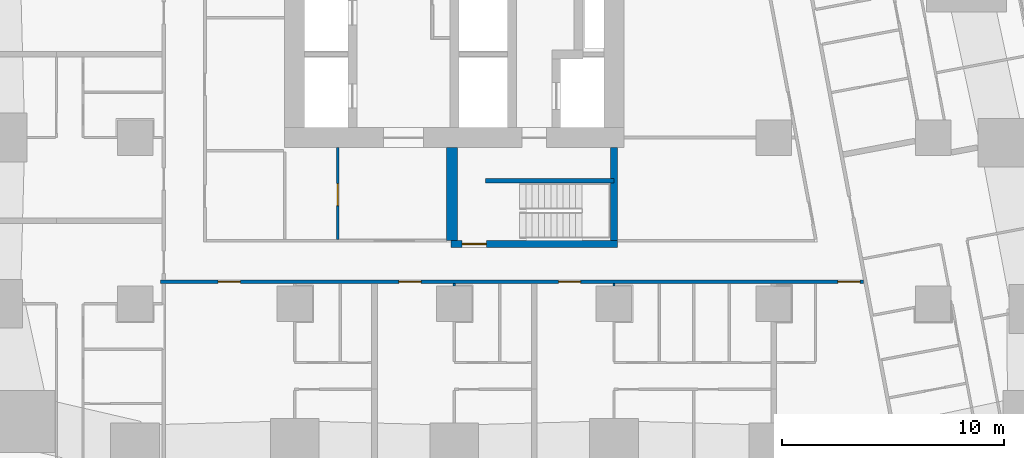
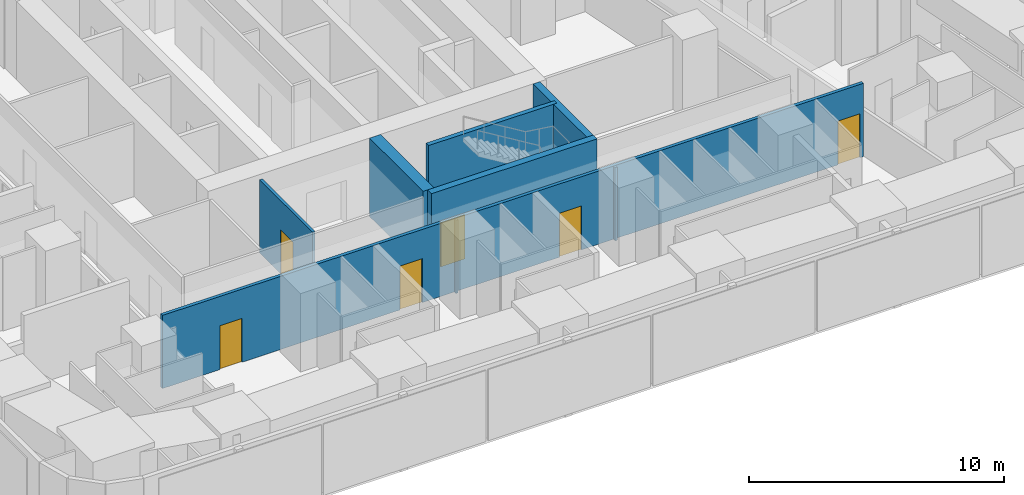
# One storey, part 4 of 16: 8 walls, 6 doors, 6 openings.
"""IFC4 building model written with IfcOpenShell, lengths in metres."""

from ifc_helpers import new_model, si_unit, direction, frame, frame_2d, origin, place, context, subcontext, project, spatial, rectangle, extrude, material, layer, layer_set, type_object, element, fill, save


model = new_model("IFC4")

# Units and contexts
model_context = context("Model", 3, precision=1e-05, world=origin(), true_north=direction((0.0, 1.0)))
body_context = subcontext(model_context, "Body", "Model", "MODEL_VIEW")
ifc_project = project(units=[si_unit("LENGTHUNIT", "METRE"), si_unit("AREAUNIT", "SQUARE_METRE"), si_unit("VOLUMEUNIT", "CUBIC_METRE"), si_unit("PLANEANGLEUNIT", "RADIAN"), si_unit("MASSUNIT", "GRAM", prefix="KILO")], contexts=[model_context])

# Site, building, storey
site_placement = place(None, origin())
site = spatial("IfcSite", under=ifc_project, at=site_placement, CompositionType="ELEMENT")
building_placement = place(site_placement, origin())
building = spatial("IfcBuilding", under=site, at=building_placement, Name="Sheger Commons Tower", CompositionType="ELEMENT")
storey_placement = place(building_placement, frame((0.0, 0.0, 89.14990234375)))
storey = spatial("IfcBuildingStorey", under=building, at=storey_placement, Name="L22", CompositionType="ELEMENT", Elevation=89.14990234375)

# Wall, openings, doors
ifc_material_1 = material(Name="Hollow concrete block masonry, skimmed both sides", Category="masonry")
ifc_layer_1 = layer(ifc_material_1, 0.14990234375)
ifc_layer_set_1 = layer_set([ifc_layer_1], Name="CORRIDOR WALL 150")
wall_type_1 = type_object("IfcWallType", Name="CORRIDOR WALL 150", PredefinedType="SOLIDWALL", material=ifc_layer_set_1)
wall_1_placement = place(storey_placement, frame((40.052978515625, 8.5, 0.0), z_axis=(0.0, 0.0, 1.0), x_axis=(-1.0, 0.0, 0.0)))
wall_1 = element("IfcWall", 1, at=wall_1_placement, inside=storey, type_object=wall_type_1, Name="Corridor wall L22", PredefinedType="SOLIDWALL", context=body_context, shape_type="SweptSolid", body=[
    extrude(rectangle(XDim=31.702880859375, YDim=0.14990234375, at=frame_2d((15.8515625, 0.0))), origin(), (0.0, 0.0, 1.0), 3.5),
])
opening_1_placement = place(wall_1_placement, frame((28.10302734375, 0.0, 0.0)))
opening_1 = element("IfcOpeningElement", 2, at=opening_1_placement, cuts=wall_1, Name="Opening D1", PredefinedType="OPENING", context=body_context, shape_type="SweptSolid", body=[
    extrude(rectangle(XDim=1.0, YDim=2.10009765625, at=frame_2d((0.5, 1.050048828125))), frame((0.0, 0.0849609375, 0.0), z_axis=(0.0, -1.0, 0.0), x_axis=(1.0, 0.0, 0.0)), (0.0, 0.0, 1.0), 0.169921875),
])
opening_2_placement = place(wall_1_placement, frame((19.952880859375, 0.0, 0.0)))
opening_2 = element("IfcOpeningElement", 3, at=opening_2_placement, cuts=wall_1, Name="Opening D1", PredefinedType="OPENING", context=body_context, shape_type="SweptSolid", body=[
    extrude(rectangle(XDim=1.0, YDim=2.10009765625, at=frame_2d((0.5, 1.050048828125))), frame((0.0, 0.0849609375, 0.0), z_axis=(0.0, -1.0, 0.0), x_axis=(1.0, 0.0, 0.0)), (0.0, 0.0, 1.0), 0.169921875),
])
opening_3_placement = place(wall_1_placement, frame((12.7529296875, 0.0, 0.0)))
opening_3 = element("IfcOpeningElement", 4, at=opening_3_placement, cuts=wall_1, Name="Opening D1", PredefinedType="OPENING", context=body_context, shape_type="SweptSolid", body=[
    extrude(rectangle(XDim=1.0, YDim=2.10009765625, at=frame_2d((0.5, 1.050048828125))), frame((0.0, 0.0849609375, 0.0), z_axis=(0.0, -1.0, 0.0), x_axis=(1.0, 0.0, 0.0)), (0.0, 0.0, 1.0), 0.169921875),
])
opening_4_placement = place(wall_1_placement, frame((0.14990234375, 0.0, 0.0)))
opening_4 = element("IfcOpeningElement", 5, at=opening_4_placement, cuts=wall_1, Name="Opening D1", PredefinedType="OPENING", context=body_context, shape_type="SweptSolid", body=[
    extrude(rectangle(XDim=1.0, YDim=2.10009765625, at=frame_2d((0.5, 1.050048828125))), frame((0.0, 0.0849609375, 0.0), z_axis=(0.0, -1.0, 0.0), x_axis=(1.0, 0.0, 0.0)), (0.0, 0.0, 1.0), 0.169921875),
])
ifc_material_2 = material(Name="Steel door set, fire rated", Category="steel")
door_type_1 = type_object("IfcDoorType", Name="FLAT ENTRANCE DOOR 1000x2100", OperationType="NOTDEFINED", PredefinedType="DOOR", material=ifc_material_2)
door_1_placement = place(opening_1_placement, origin())
door_1 = element("IfcDoor", 6, at=door_1_placement, inside=storey, type_object=door_type_1, Name="Flat entrance door", OperationType="SINGLE_SWING_RIGHT", OverallHeight=2.10009765625, OverallWidth=1.0, PredefinedType="DOOR", context=body_context, shape_type="SweptSolid", body=[
    extrude(rectangle(XDim=1.0, YDim=2.10009765625, at=frame_2d((0.5, 1.050048828125))), frame((0.0, 0.02490234375, 0.0), z_axis=(0.0, -1.0, 0.0), x_axis=(1.0, 0.0, 0.0)), (0.0, 0.0, 1.0), 0.050048828125),
])
fill(opening_1, door_1)
door_2_placement = place(opening_2_placement, origin())
door_2 = element("IfcDoor", 7, at=door_2_placement, inside=storey, type_object=door_type_1, Name="Flat entrance door", OperationType="SINGLE_SWING_RIGHT", OverallHeight=2.10009765625, OverallWidth=1.0, PredefinedType="DOOR", context=body_context, shape_type="SweptSolid", body=[
    extrude(rectangle(XDim=1.0, YDim=2.10009765625, at=frame_2d((0.5, 1.050048828125))), frame((0.0, 0.02490234375, 0.0), z_axis=(0.0, -1.0, 0.0), x_axis=(1.0, 0.0, 0.0)), (0.0, 0.0, 1.0), 0.050048828125),
])
fill(opening_2, door_2)
door_3_placement = place(opening_3_placement, origin())
door_3 = element("IfcDoor", 8, at=door_3_placement, inside=storey, type_object=door_type_1, Name="Flat entrance door", OperationType="SINGLE_SWING_RIGHT", OverallHeight=2.10009765625, OverallWidth=1.0, PredefinedType="DOOR", context=body_context, shape_type="SweptSolid", body=[
    extrude(rectangle(XDim=1.0, YDim=2.10009765625, at=frame_2d((0.5, 1.050048828125))), frame((0.0, 0.02490234375, 0.0), z_axis=(0.0, -1.0, 0.0), x_axis=(1.0, 0.0, 0.0)), (0.0, 0.0, 1.0), 0.050048828125),
])
fill(opening_3, door_3)
door_4_placement = place(opening_4_placement, origin())
door_4 = element("IfcDoor", 9, at=door_4_placement, inside=storey, type_object=door_type_1, Name="Flat entrance door", OperationType="SINGLE_SWING_LEFT", OverallHeight=2.10009765625, OverallWidth=1.0, PredefinedType="DOOR", context=body_context, shape_type="SweptSolid", body=[
    extrude(rectangle(XDim=1.0, YDim=2.10009765625, at=frame_2d((0.5, 1.050048828125))), frame((0.0, 0.02490234375, 0.0), z_axis=(0.0, -1.0, 0.0), x_axis=(1.0, 0.0, 0.0)), (0.0, 0.0, 1.0), 0.050048828125),
])
fill(opening_4, door_4)

# Walls
ifc_material_3 = material(Name="Gypsum board on steel studs", Category="steel")
ifc_layer_2 = layer(ifc_material_3, 0.10009765625)
ifc_layer_set_2 = layer_set([ifc_layer_2], Name="PARTITION 100")
wall_type_2 = type_object("IfcWallType", Name="PARTITION 100", PredefinedType="PARTITIONING", material=ifc_layer_set_2)
for number, where, z_axis, x_axis, name in (
    (10, (21.60009765625, 8.301025390625, 0.0), (0.0, 0.0, 1.0), (0.0, 1.0, 0.0), "Partition L22"),
    (11, (28.800048828125, 8.301025390625, 0.0), (0.0, 0.0, 1.0), (0.0, 1.0, 0.0), "Partition L22"),
):
    element("IfcWall", number, at=place(storey_placement, frame(where, z_axis=z_axis, x_axis=x_axis)), inside=storey, type_object=wall_type_2, Name=name, PredefinedType="PARTITIONING", context=body_context, shape_type="SweptSolid", body=[
        extrude(rectangle(XDim=0.1240234375, YDim=0.10009765625, at=frame_2d((0.06201171875, 0.0))), origin(), (0.0, 0.0, 1.0), 3.5),
    ])

# Wall, opening, door
ifc_material_4 = material(Name="Gypsum board on steel studs, two layers each side, fire rated", Category="steel")
ifc_layer_3 = layer(ifc_material_4, 0.125)
ifc_layer_set_3 = layer_set([ifc_layer_3], Name="SERVICE WALL 125")
wall_type_3 = type_object("IfcWallType", Name="SERVICE WALL 125", PredefinedType="PARTITIONING", material=ifc_layer_set_3)
wall_2_placement = place(storey_placement, frame((16.340087890625, 10.4130859375, 0.0), z_axis=(0.0, 0.0, 1.0), x_axis=(0.0, 1.0, 0.0)))
wall_2 = element("IfcWall", 12, at=wall_2_placement, inside=storey, type_object=wall_type_3, Name="Service room wall L22", PredefinedType="PARTITIONING", context=body_context, shape_type="SweptSolid", body=[
    extrude(rectangle(XDim=4.136962890625, YDim=0.125, at=frame_2d((2.068359375, 0.0))), origin(), (0.0, 0.0, 1.0), 3.5),
])
opening_5_placement = place(wall_2_placement, frame((1.511962890625, 0.0, 0.0)))
opening_5 = element("IfcOpeningElement", 13, at=opening_5_placement, cuts=wall_2, Name="Opening D4", PredefinedType="OPENING", context=body_context, shape_type="SweptSolid", body=[
    extrude(rectangle(XDim=1.0, YDim=2.10009765625, at=frame_2d((0.5, 1.050048828125))), frame((0.0, 0.072509765625, 0.0), z_axis=(0.0, -1.0, 0.0), x_axis=(1.0, 0.0, 0.0)), (0.0, 0.0, 1.0), 0.14501953125),
])
ifc_material_5 = material(Name="Steel door set, fire rated", Category="steel")
door_type_2 = type_object("IfcDoorType", Name="SERVICE DOOR 1000x2100", OperationType="NOTDEFINED", PredefinedType="DOOR", material=ifc_material_5)
door_5_placement = place(opening_5_placement, origin())
door_5 = element("IfcDoor", 14, at=door_5_placement, inside=storey, type_object=door_type_2, Name="Electrical room door", OperationType="SINGLE_SWING_LEFT", OverallHeight=2.10009765625, OverallWidth=1.0, PredefinedType="DOOR", context=body_context, shape_type="SweptSolid", body=[
    extrude(rectangle(XDim=1.0, YDim=2.10009765625, at=frame_2d((0.5, 1.050048828125))), frame((0.0, 0.02490234375, 0.0), z_axis=(0.0, -1.0, 0.0), x_axis=(1.0, 0.0, 0.0)), (0.0, 0.0, 1.0), 0.050048828125),
])
fill(opening_5, door_5)

ifc_material_6 = material(Name="Concrete C50/60", Category="concrete")
ifc_layer_4 = layer(ifc_material_6, 0.300048828125)
ifc_layer_set_4 = layer_set([ifc_layer_4], Name="STAIR CORE WALL 300")
wall_type_4 = type_object("IfcWallType", Name="STAIR CORE WALL 300", PredefinedType="SHEAR", material=ifc_layer_set_4)
wall_3_placement = place(storey_placement, frame((21.449951171875, 10.199951171875, 0.0), z_axis=(0.0, 0.0, 1.0), x_axis=(1.0, 0.0, 0.0)))
wall_3 = element("IfcWall", 15, at=wall_3_placement, inside=storey, type_object=wall_type_4, Name="STW-L22-S1S", PredefinedType="SHEAR", context=body_context, shape_type="SweptSolid", body=[
    extrude(rectangle(XDim=7.5, YDim=0.300048828125, at=frame_2d((3.75, 0.0))), origin(), (0.0, 0.0, 1.0), 3.75),
])
opening_6_placement = place(wall_3_placement, frame((0.5, 0.0, 0.0)))
opening_6 = element("IfcOpeningElement", 16, at=opening_6_placement, cuts=wall_3, Name="Opening D5", PredefinedType="OPENING", context=body_context, shape_type="SweptSolid", body=[
    extrude(rectangle(XDim=1.10009765625, YDim=2.10009765625, at=frame_2d((0.550048828125, 1.050048828125))), frame((0.0, 0.159912109375, 0.0), z_axis=(0.0, -1.0, 0.0), x_axis=(1.0, 0.0, 0.0)), (0.0, 0.0, 1.0), 0.320068359375),
])
ifc_material_7 = material(Name="Steel door set, fire rated", Category="steel")
door_type_3 = type_object("IfcDoorType", Name="STAIR DOOR 1100x2100", OperationType="NOTDEFINED", PredefinedType="DOOR", material=ifc_material_7)
door_6_placement = place(opening_6_placement, origin())
door_6 = element("IfcDoor", 17, at=door_6_placement, inside=storey, type_object=door_type_3, Name="Stair S1 door", OperationType="SINGLE_SWING_LEFT", OverallHeight=2.10009765625, OverallWidth=1.10009765625, PredefinedType="DOOR", context=body_context, shape_type="SweptSolid", body=[
    extrude(rectangle(XDim=1.10009765625, YDim=2.10009765625, at=frame_2d((0.550048828125, 1.050048828125))), frame((0.0, 0.02490234375, 0.0), z_axis=(0.0, -1.0, 0.0), x_axis=(1.0, 0.0, 0.0)), (0.0, 0.0, 1.0), 0.050048828125),
])
fill(opening_6, door_6)

# Walls
wall_4_placement = place(storey_placement, frame((28.800048828125, 10.35009765625, 0.0), z_axis=(0.0, 0.0, 1.0), x_axis=(0.0, 1.0, 0.0)))
element("IfcWall", 18, at=wall_4_placement, inside=storey, type_object=wall_type_4, Name="STW-L22-S1E", PredefinedType="SHEAR", context=body_context, shape_type="SweptSolid", body=[
    extrude(rectangle(XDim=4.199951171875, YDim=0.300048828125, at=frame_2d((2.10009765625, 0.0))), origin(), (0.0, 0.0, 1.0), 3.75),
])
ifc_material_8 = material(Name="Concrete C50/60", Category="concrete")
ifc_layer_5 = layer(ifc_material_8, 0.5)
ifc_layer_set_5 = layer_set([ifc_layer_5], Name="STAIR CORE WALL 500")
wall_type_5 = type_object("IfcWallType", Name="STAIR CORE WALL 500", PredefinedType="SHEAR", material=ifc_layer_set_5)
wall_5_placement = place(storey_placement, frame((21.5, 10.35009765625, 0.0), z_axis=(0.0, 0.0, 1.0), x_axis=(0.0, 1.0, 0.0)))
element("IfcWall", 19, at=wall_5_placement, inside=storey, type_object=wall_type_5, Name="STW-L22-S1W", PredefinedType="SHEAR", context=body_context, shape_type="SweptSolid", body=[
    extrude(rectangle(XDim=4.199951171875, YDim=0.5, at=frame_2d((2.10009765625, 0.0))), origin(), (0.0, 0.0, 1.0), 3.75),
])
ifc_material_9 = material(Name="Concrete C50/60", Category="concrete")
ifc_layer_6 = layer(ifc_material_9, 0.199951171875)
ifc_layer_set_6 = layer_set([ifc_layer_6], Name="STAIR SPINE WALL 200")
wall_type_6 = type_object("IfcWallType", Name="STAIR SPINE WALL 200", PredefinedType="SHEAR", material=ifc_layer_set_6)
wall_6_placement = place(storey_placement, frame((23.0, 13.050048828125, 0.0), z_axis=(0.0, 0.0, 1.0), x_axis=(1.0, 0.0, 0.0)))
element("IfcWall", 20, at=wall_6_placement, inside=storey, type_object=wall_type_6, Name="Stair spine wall L22", PredefinedType="SHEAR", context=body_context, shape_type="SweptSolid", body=[
    extrude(rectangle(XDim=5.800048828125, YDim=0.199951171875, at=frame_2d((2.89990234375, 0.0))), origin(), (0.0, 0.0, 1.0), 3.75),
])

save(model, "model.ifc")
